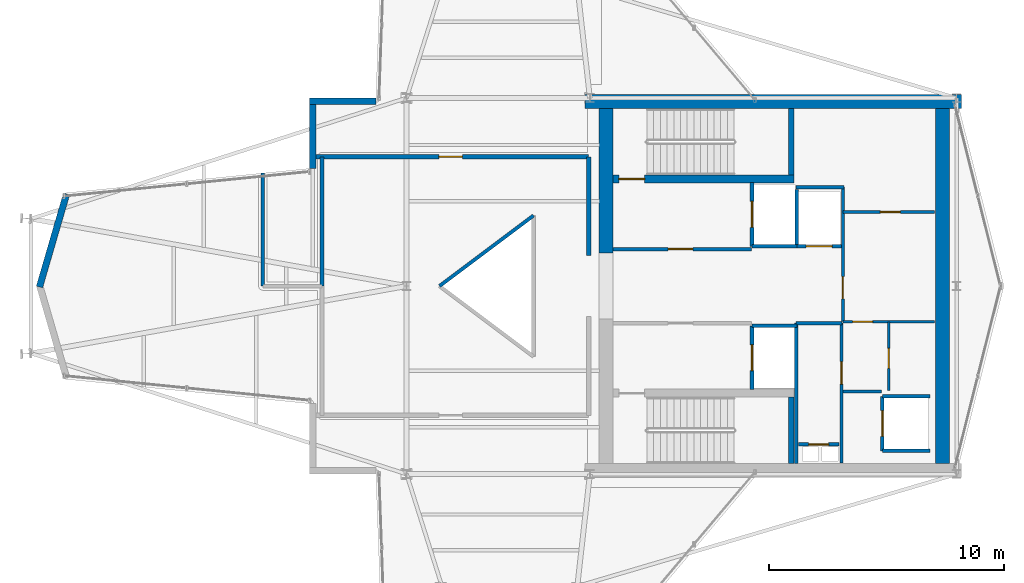
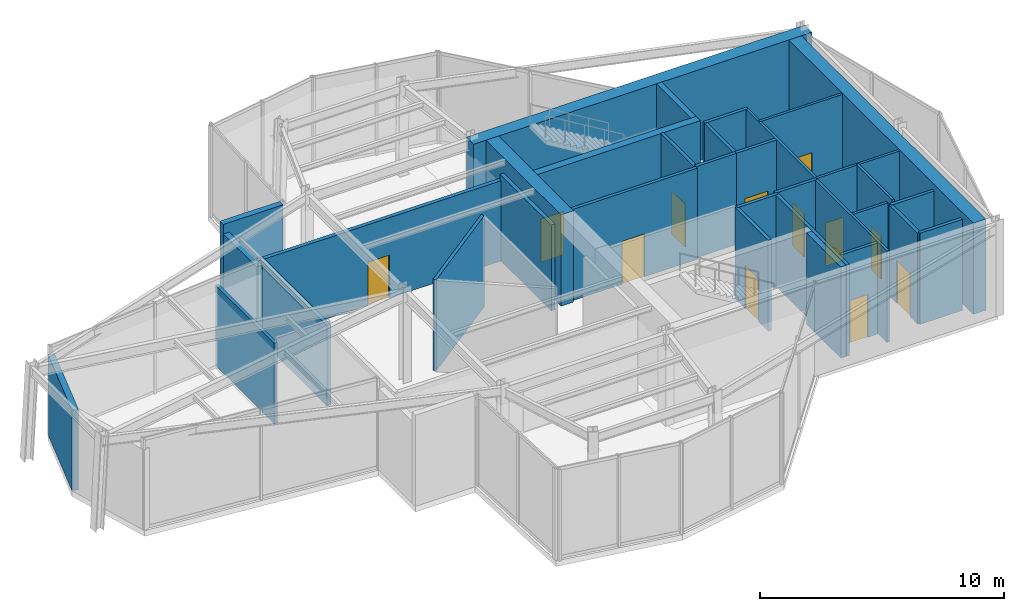
# One storey, part 10 of 15: 34 walls, 13 doors, 13 openings.
"""IFC4 building model written with IfcOpenShell, lengths in metres."""

import ifcopenshell
import ifcopenshell.guid

model = None  # the IFC model being written
_history = None  # IfcOwnerHistory: only IFC2X3 demands one
_inside = {}  # id of a spatial element -> (the spatial element, [elements in it])
_under = {}  # id of a project, library or spatial element -> (it, [spatial elements below it])
_declared = {}  # id of a project -> (the project, [libraries it declares])
_typed = {}  # id of a type object -> (the type object, [elements of that type])
_made_of = {}  # id of a material, layer set ... -> (it, [elements and type objects made of it])


def new_model(schema):
    """Start an empty IFC model of exactly this schema.

    Asked for "IFC4X3", IfcOpenShell would pick the latest addendum, in which some entities
    have other attributes; the version numbers below select the first issue.
    IFC2X3 requires an IfcOwnerHistory on every rooted entity: one is made here for all.
    """
    global model, _history
    if schema == "IFC4X3":
        model = ifcopenshell.file(schema_version=(4, 3, 0, 0))
    else:
        model = ifcopenshell.file(schema=schema)
    _inside.clear()
    _under.clear()
    _declared.clear()
    _typed.clear()
    _made_of.clear()
    _history = None
    if model.schema == "IFC2X3":
        org = make("IfcOrganization", Name="unknown")
        user = make(
            "IfcPersonAndOrganization",
            ThePerson=make("IfcPerson", FamilyName="unknown"),
            TheOrganization=org,
        )
        app = make(
            "IfcApplication",
            ApplicationDeveloper=org,
            Version="unknown",
            ApplicationFullName="unknown",
            ApplicationIdentifier="unknown",
        )
        _history = make(
            "IfcOwnerHistory",
            OwningUser=user,
            OwningApplication=app,
            ChangeAction="ADDED",
            CreationDate=0,
        )
    return model


def make(cls, **values):
    """One entity of the class cls with the attributes given. An attribute that is None is left unset."""
    return model.create_entity(
        cls, **{name: value for name, value in values.items() if value is not None}
    )


def rooted(cls, **values):
    """An entity with a GlobalId (a new one), such as an element, a storey or a relation."""
    return make(cls, GlobalId=ifcopenshell.guid.new(), OwnerHistory=_history, **values)


def si_unit(unit_type, name, prefix=None):
    """IfcSIUnit, for example si_unit("LENGTHUNIT", "METRE", prefix="MILLI")."""
    return make("IfcSIUnit", UnitType=unit_type, Prefix=prefix, Name=name)


def assignment(units):
    """IfcUnitAssignment: the units of a project."""
    return None if units is None else make("IfcUnitAssignment", Units=units)


def point(xyz):
    """IfcCartesianPoint."""
    return None if xyz is None else make("IfcCartesianPoint", Coordinates=xyz)


def direction(xyz):
    """IfcDirection."""
    return None if xyz is None else make("IfcDirection", DirectionRatios=xyz)


def frame(location, z_axis=None, x_axis=None):
    """IfcAxis2Placement3D, a coordinate frame: its origin and axes. An axis left out is left unset."""
    return make(
        "IfcAxis2Placement3D",
        Location=point(location),
        Axis=direction(z_axis),
        RefDirection=direction(x_axis),
    )


def frame_2d(location, x_axis=None):
    """IfcAxis2Placement2D, a coordinate frame in the plane: its origin and x axis."""
    return make(
        "IfcAxis2Placement2D", Location=point(location), RefDirection=direction(x_axis)
    )


def origin():
    """The frame at (0, 0, 0) with its axes left unset."""
    return frame((0.0, 0.0, 0.0))


def place(relative_to, where):
    """IfcLocalPlacement: puts the frame where relative to a parent placement (None: the world)."""
    return make(
        "IfcLocalPlacement", PlacementRelTo=relative_to, RelativePlacement=where
    )


def context(
    kind, dimensions, precision=None, world=None, true_north=None, identifier=None
):
    """IfcGeometricRepresentationContext, for example the 3D "Model" context."""
    return make(
        "IfcGeometricRepresentationContext",
        ContextIdentifier=identifier,
        ContextType=kind,
        CoordinateSpaceDimension=dimensions,
        Precision=precision,
        WorldCoordinateSystem=world,
        TrueNorth=true_north,
    )


def subcontext(parent, identifier, kind, view, scale=None):
    """IfcGeometricRepresentationSubContext, for example "Body" below "Model"."""
    return make(
        "IfcGeometricRepresentationSubContext",
        ContextIdentifier=identifier,
        ContextType=kind,
        ParentContext=parent,
        TargetScale=scale,
        TargetView=view,
    )


def project(units=None, contexts=None):
    """IfcProject with its units and contexts."""
    return rooted(
        "IfcProject",
        Name="project",
        RepresentationContexts=contexts,
        UnitsInContext=assignment(units),
    )


def spatial(cls, under=None, at=None, **own):
    """A site, building, storey or space (cls), placed at a placement, below another one or the project."""
    s = rooted(cls, ObjectPlacement=at, **own)
    if under is not None:
        _under.setdefault(under.id(), (under, []))[1].append(s)
    return s


def profile(cls, at=None, kind="AREA", **sizes):
    """A parametric profile (cls). Its sizes go by their IFC names, for example OverallWidth=200.0."""
    return make(cls, ProfileType=kind, Position=at, **sizes)


def rectangle(**sizes):
    """IfcRectangleProfileDef."""
    return profile("IfcRectangleProfileDef", **sizes)


def extrude(swept, where, along, depth):
    """IfcExtrudedAreaSolid: the profile swept, set in the frame where, extruded along a direction by depth."""
    return make(
        "IfcExtrudedAreaSolid",
        SweptArea=swept,
        Position=where,
        ExtrudedDirection=direction(along),
        Depth=depth,
    )


def shape(context_of_items, identifier, shape_type, items):
    """IfcShapeRepresentation: the items that make up one representation, for example the "Body"."""
    return make(
        "IfcShapeRepresentation",
        ContextOfItems=context_of_items,
        RepresentationIdentifier=identifier,
        RepresentationType=shape_type,
        Items=items,
    )


def material(Name=None, Category=None):
    """IfcMaterial."""
    return make("IfcMaterial", Name=Name, Category=Category)


def layer(
    of_material, thickness, ventilated=None, Name=None, Category=None, Priority=None
):
    """IfcMaterialLayer: one layer of a wall or slab, of a material (None: an air gap)."""
    return make(
        "IfcMaterialLayer",
        Material=of_material,
        LayerThickness=thickness,
        IsVentilated=ventilated,
        Name=Name,
        Category=Category,
        Priority=Priority,
    )


def layer_set(layers, Name=None):
    """IfcMaterialLayerSet."""
    return make("IfcMaterialLayerSet", MaterialLayers=layers, LayerSetName=Name)


def made_of(thing, what):
    """Note that an element or type object is made of a material, layer set ...; save() writes the relation."""
    if what is not None:
        _made_of.setdefault(what.id(), (what, []))[1].append(thing)
    return thing


def type_object(cls, material=None, **own):
    """A type object (cls), such as IfcWallType, which elements share."""
    return made_of(rooted(cls, **own), material)


def element(
    cls,
    number,
    at=None,
    inside=None,
    cuts=None,
    type_object=None,
    material=None,
    context=None,
    identifier="Body",
    shape_type=None,
    held_by="IfcProductDefinitionShape",
    body=None,
    shapes=None,
    **own,
):
    """One element of the class cls, such as IfcWall. Its Tag is "e" and its number.

    at: its placement. inside: the storey or other place that contains it. cuts: it is an
    opening in that element (IfcRelVoidsElement). A single representation is given by context,
    identifier, shape_type and body (its items); several are given by shapes. held_by: the class
    of the entity that holds the representations. save() writes the other relations.
    """
    e = rooted(cls, Tag="e%d" % number, ObjectPlacement=at, **own)
    if body is not None:
        shapes = [shape(context, identifier, shape_type, body)]
    if shapes is not None:
        e.Representation = make(held_by, Representations=shapes)
    if inside is not None:
        _inside.setdefault(inside.id(), (inside, []))[1].append(e)
    if cuts is not None:
        rooted(
            "IfcRelVoidsElement", RelatingBuildingElement=cuts, RelatedOpeningElement=e
        )
    if type_object is not None:
        _typed.setdefault(type_object.id(), (type_object, []))[1].append(e)
    return made_of(e, material)


def fill(opening, filler):
    """IfcRelFillsElement: the door or window that sits in an opening."""
    return rooted(
        "IfcRelFillsElement",
        RelatingOpeningElement=opening,
        RelatedBuildingElement=filler,
    )


def aggregate(whole, parts):
    """IfcRelAggregates: a whole, such as a stair, and the parts it consists of."""
    return rooted("IfcRelAggregates", RelatingObject=whole, RelatedObjects=parts)


def save(model, path):
    """Write the relations noted so far, then the file.

    IfcRelAggregates (storeys below a building ...), IfcRelContainedInSpatialStructure (elements
    in a storey), IfcRelDefinesByType, IfcRelAssociatesMaterial and IfcRelDeclares: one each for
    every whole, place, type object, material and project.
    """
    for whole, parts in _under.values():
        aggregate(whole, parts)
    for where, things in _inside.values():
        rooted(
            "IfcRelContainedInSpatialStructure",
            RelatedElements=things,
            RelatingStructure=where,
        )
    for kind, things in _typed.values():
        rooted("IfcRelDefinesByType", RelatedObjects=things, RelatingType=kind)
    for what, things in _made_of.values():
        rooted("IfcRelAssociatesMaterial", RelatedObjects=things, RelatingMaterial=what)
    for by, libraries in _declared.values():
        rooted("IfcRelDeclares", RelatingContext=by, RelatedDefinitions=libraries)
    model.write(path)


model = new_model("IFC4")

# Units and contexts
model_context = context("Model", 3, precision=1e-05, world=origin(), true_north=direction((0.0, 1.0)))
body_context = subcontext(model_context, "Body", "Model", "MODEL_VIEW")
ifc_project = project(units=[si_unit("LENGTHUNIT", "METRE"), si_unit("AREAUNIT", "SQUARE_METRE"), si_unit("VOLUMEUNIT", "CUBIC_METRE"), si_unit("PLANEANGLEUNIT", "RADIAN"), si_unit("MASSUNIT", "GRAM", prefix="KILO")], contexts=[model_context])

# Site, building, storey
site_placement = place(None, origin())
site = spatial("IfcSite", under=ifc_project, at=site_placement, CompositionType="ELEMENT")
building_placement = place(site_placement, origin())
building = spatial("IfcBuilding", under=site, at=building_placement, Name="Veymaron Broadcast Tower", CompositionType="ELEMENT")
storey_placement = place(building_placement, frame((0.0, 0.0, 262.050048828125)))
storey = spatial("IfcBuildingStorey", under=building, at=storey_placement, Name="L61", CompositionType="ELEMENT", Elevation=262.050048828125)

# Walls
ifc_material_1 = material(Name="Precast concrete C40/50", Category="concrete")
ifc_layer_1 = layer(ifc_material_1, 0.280029296875)
ifc_layer_set_1 = layer_set([ifc_layer_1], Name="Precast concrete C40/50")
wall_type_1 = type_object("IfcWallType", Name="WALL-EXT-280", PredefinedType="STANDARD", material=ifc_layer_set_1)
wall_1_placement = place(storey_placement, frame((29.892333984375, 31.860107421875, 0.0), z_axis=(0.0, 0.0, 1.0), x_axis=(-1.0, 0.0, 0.0)))
element("IfcWall", 1, at=wall_1_placement, inside=storey, type_object=wall_type_1, Name="L61 notched corner facade pier 9-1", PredefinedType="STANDARD", context=body_context, shape_type="SweptSolid", body=[
    extrude(rectangle(XDim=2.828369140625, YDim=0.280029296875, at=frame_2d((1.4140625, 0.0))), origin(), (0.0, 0.0, 1.0), 4.56005859375),
])
wall_2_placement = place(storey_placement, frame((27.2041015625, 32.0, 0.0), z_axis=(0.0, 0.0, 1.0), x_axis=(0.0, -1.0, 0.0)))
element("IfcWall", 2, at=wall_2_placement, inside=storey, type_object=wall_type_1, Name="L61 notched corner facade pier 10-1", PredefinedType="STANDARD", context=body_context, shape_type="SweptSolid", body=[
    extrude(rectangle(XDim=2.994873046875, YDim=0.280029296875, at=frame_2d((1.49755859375, 0.0))), origin(), (0.0, 0.0, 1.0), 4.0888671875),
])
wall_3_placement = place(storey_placement, frame((16.734375, 27.917236328125, 0.0), z_axis=(0.0, 0.0, 1.0), x_axis=(-0.2795381076, -0.960134598064, 0.0)))
element("IfcWall", 3, at=wall_3_placement, inside=storey, type_object=wall_type_1, Name="L61 notched corner facade pier 12-1", PredefinedType="STANDARD", context=body_context, shape_type="SweptSolid", body=[
    extrude(rectangle(XDim=4.12060546875, YDim=0.280029296875, at=frame_2d((2.060302734375, 0.0))), origin(), (0.0, 0.0, 1.0), 4.02001953125),
])

# Wall, opening, door
ifc_material_2 = material(Name="Gypsum fireboard and steel stud framing", Category="steel")
ifc_layer_2 = layer(ifc_material_2, 0.14990234375)
ifc_layer_set_2 = layer_set([ifc_layer_2], Name="Gypsum fireboard and steel stud framing")
wall_type_2 = type_object("IfcWallType", Name="WALL-FIRE-150", PredefinedType="PARTITIONING", material=ifc_layer_set_2)
wall_4_placement = place(storey_placement, frame((39.97998046875, 25.574951171875, 0.0), z_axis=(0.0, 0.0, 1.0), x_axis=(1.0, 0.0, 0.0)))
wall_4 = element("IfcWall", 4, at=wall_4_placement, inside=storey, type_object=wall_type_2, Name="L61 partition IW-L61-FFLN-S", PredefinedType="PARTITIONING", context=body_context, shape_type="SweptSolid", body=[
    extrude(rectangle(XDim=5.89990234375, YDim=0.14990234375, at=frame_2d((2.949951171875, 0.0))), origin(), (0.0, 0.0, 1.0), 4.56005859375),
])
opening_1_placement = place(wall_4_placement, frame((2.35009765625, 0.0, 0.0)))
opening_1 = element("IfcOpeningElement", 5, at=opening_1_placement, cuts=wall_4, Name="Opening ID-FL1", PredefinedType="OPENING", context=body_context, shape_type="SweptSolid", body=[
    extrude(rectangle(XDim=1.050048828125, YDim=2.14990234375, at=frame_2d((0.52490234375, 1.074951171875))), frame((0.0, 0.0849609375, 0.0), z_axis=(0.0, -1.0, 0.0), x_axis=(1.0, 0.0, 0.0)), (0.0, 0.0, 1.0), 0.169921875),
])
ifc_material_3 = material(Name="Fire-rated painted hollow steel ASTM A653", Category="steel")
door_type_1 = type_object("IfcDoorType", Name="DOOR-FIRE-1050", OperationType="NOTDEFINED", PredefinedType="DOOR", material=ifc_material_3)
door_1_placement = place(opening_1_placement, origin())
door_1 = element("IfcDoor", 6, at=door_1_placement, inside=storey, type_object=door_type_1, Name="L61 door DR-L61-FFLN", OperationType="SINGLE_SWING_LEFT", OverallHeight=2.14990234375, OverallWidth=1.050048828125, PredefinedType="DOOR", context=body_context, shape_type="SweptSolid", body=[
    extrude(rectangle(XDim=1.050048828125, YDim=2.14990234375, at=frame_2d((0.52490234375, 1.074951171875))), frame((0.0, 0.02490234375, 0.0), z_axis=(0.0, -1.0, 0.0), x_axis=(1.0, 0.0, 0.0)), (0.0, 0.0, 1.0), 0.050048828125),
])
fill(opening_1, door_1)

wall_5_placement = place(storey_placement, frame((45.89501953125, 25.68994140625, 0.0), z_axis=(0.0, 0.0, 1.0), x_axis=(0.0, 1.0, 0.0)))
wall_5 = element("IfcWall", 7, at=wall_5_placement, inside=storey, type_object=wall_type_2, Name="L61 partition IW-L61-SHW-FFL-1", PredefinedType="PARTITIONING", context=body_context, shape_type="SweptSolid", body=[
    extrude(rectangle(XDim=2.719970703125, YDim=0.14990234375, at=frame_2d((1.35986328125, 0.0))), origin(), (0.0, 0.0, 1.0), 4.56005859375),
])
opening_2_placement = place(wall_5_placement, frame((0.81005859375, 0.0, 0.0)))
opening_2 = element("IfcOpeningElement", 8, at=opening_2_placement, cuts=wall_5, Name="Opening LD", PredefinedType="OPENING", context=body_context, shape_type="SweptSolid", body=[
    extrude(rectangle(XDim=1.10009765625, YDim=2.14990234375, at=frame_2d((0.550048828125, 1.074951171875))), frame((0.0, 0.0849609375, 0.0), z_axis=(0.0, -1.0, 0.0), x_axis=(1.0, 0.0, 0.0)), (0.0, 0.0, 1.0), 0.169921875),
])
ifc_material_4 = material(Name="Brushed stainless steel AISI 304", Category="steel")
door_type_2 = type_object("IfcDoorType", Name="DOOR-LIFT-1100", OperationType="DOUBLE_DOOR_SLIDING", PredefinedType="DOOR", material=ifc_material_4)
door_2_placement = place(opening_2_placement, frame((1.10009765625, 0.0, 0.0), z_axis=(0.0, 0.0, 1.0), x_axis=(-1.0, 0.0, 0.0)))
door_2 = element("IfcDoor", 9, at=door_2_placement, inside=storey, type_object=door_type_2, Name="L61 door LD-L61-FFL-1", OperationType="DOUBLE_DOOR_SLIDING", OverallHeight=2.14990234375, OverallWidth=1.10009765625, PredefinedType="DOOR", context=body_context, shape_type="SweptSolid", body=[
    extrude(rectangle(XDim=1.10009765625, YDim=2.14990234375, at=frame_2d((0.550048828125, 1.074951171875))), frame((0.0, 0.02490234375, 0.0), z_axis=(0.0, -1.0, 0.0), x_axis=(1.0, 0.0, 0.0)), (0.0, 0.0, 1.0), 0.050048828125),
])
fill(opening_2, door_2)

# Wall
wall_6_placement = place(storey_placement, frame((45.89501953125, 25.68994140625, 0.0), z_axis=(0.0, 0.0, 1.0), x_axis=(1.0, 0.0, 0.0)))
element("IfcWall", 10, at=wall_6_placement, inside=storey, type_object=wall_type_2, Name="L61 partition IW-L61-SHS-FFL-1", PredefinedType="PARTITIONING", context=body_context, shape_type="SweptSolid", body=[
    extrude(rectangle(XDim=1.9150390625, YDim=0.14990234375, at=frame_2d((0.95751953125, 0.0))), origin(), (0.0, 0.0, 1.0), 4.56005859375),
])

# Wall, opening, door
wall_7_placement = place(storey_placement, frame((45.89501953125, 19.590087890625, 0.0), z_axis=(0.0, 0.0, 1.0), x_axis=(0.0, 1.0, 0.0)))
wall_7 = element("IfcWall", 11, at=wall_7_placement, inside=storey, type_object=wall_type_2, Name="L61 partition IW-L61-SHW-FFL-2", PredefinedType="PARTITIONING", context=body_context, shape_type="SweptSolid", body=[
    extrude(rectangle(XDim=2.719970703125, YDim=0.14990234375, at=frame_2d((1.35986328125, 0.0))), origin(), (0.0, 0.0, 1.0), 4.56005859375),
])
opening_3_placement = place(wall_7_placement, frame((0.81005859375, 0.0, 0.0)))
opening_3 = element("IfcOpeningElement", 12, at=opening_3_placement, cuts=wall_7, Name="Opening LD", PredefinedType="OPENING", context=body_context, shape_type="SweptSolid", body=[
    extrude(rectangle(XDim=1.10009765625, YDim=2.14990234375, at=frame_2d((0.550048828125, 1.074951171875))), frame((0.0, 0.0849609375, 0.0), z_axis=(0.0, -1.0, 0.0), x_axis=(1.0, 0.0, 0.0)), (0.0, 0.0, 1.0), 0.169921875),
])
door_3_placement = place(opening_3_placement, frame((1.10009765625, 0.0, 0.0), z_axis=(0.0, 0.0, 1.0), x_axis=(-1.0, 0.0, 0.0)))
door_3 = element("IfcDoor", 13, at=door_3_placement, inside=storey, type_object=door_type_2, Name="L61 door LD-L61-FFL-2", OperationType="DOUBLE_DOOR_SLIDING", OverallHeight=2.14990234375, OverallWidth=1.10009765625, PredefinedType="DOOR", context=body_context, shape_type="SweptSolid", body=[
    extrude(rectangle(XDim=1.10009765625, YDim=2.14990234375, at=frame_2d((0.550048828125, 1.074951171875))), frame((0.0, 0.02490234375, 0.0), z_axis=(0.0, -1.0, 0.0), x_axis=(1.0, 0.0, 0.0)), (0.0, 0.0, 1.0), 0.050048828125),
])
fill(opening_3, door_3)

# Wall
wall_8_placement = place(storey_placement, frame((45.89501953125, 22.31005859375, 0.0), z_axis=(0.0, 0.0, 1.0), x_axis=(1.0, 0.0, 0.0)))
element("IfcWall", 14, at=wall_8_placement, inside=storey, type_object=wall_type_2, Name="L61 partition IW-L61-SHN-FFL-2", PredefinedType="PARTITIONING", context=body_context, shape_type="SweptSolid", body=[
    extrude(rectangle(XDim=1.9150390625, YDim=0.14990234375, at=frame_2d((0.95751953125, 0.0))), origin(), (0.0, 0.0, 1.0), 4.56005859375),
])

# Wall, opening, door
wall_9_placement = place(storey_placement, frame((47.7900390625, 25.695068359375, 0.0), z_axis=(0.0, 0.0, 1.0), x_axis=(1.0, 0.0, 0.0)))
wall_9 = element("IfcWall", 15, at=wall_9_placement, inside=storey, type_object=wall_type_2, Name="L61 partition IW-L61-SHS-SL-1", PredefinedType="PARTITIONING", context=body_context, shape_type="SweptSolid", body=[
    extrude(rectangle(XDim=1.919921875, YDim=0.14990234375, at=frame_2d((0.9599609375, 0.0))), origin(), (0.0, 0.0, 1.0), 4.56005859375),
])
opening_4_placement = place(wall_9_placement, frame((0.409912109375, 0.0, 0.0)))
opening_4 = element("IfcOpeningElement", 16, at=opening_4_placement, cuts=wall_9, Name="Opening LD", PredefinedType="OPENING", context=body_context, shape_type="SweptSolid", body=[
    extrude(rectangle(XDim=1.10009765625, YDim=2.14990234375, at=frame_2d((0.550048828125, 1.074951171875))), frame((0.0, 0.0849609375, 0.0), z_axis=(0.0, -1.0, 0.0), x_axis=(1.0, 0.0, 0.0)), (0.0, 0.0, 1.0), 0.169921875),
])
door_4_placement = place(opening_4_placement, frame((1.10009765625, 0.0, 0.0), z_axis=(0.0, 0.0, 1.0), x_axis=(-1.0, 0.0, 0.0)))
door_4 = element("IfcDoor", 17, at=door_4_placement, inside=storey, type_object=door_type_2, Name="L61 door LD-L61-SL-1", OperationType="DOUBLE_DOOR_SLIDING", OverallHeight=2.14990234375, OverallWidth=1.10009765625, PredefinedType="DOOR", context=body_context, shape_type="SweptSolid", body=[
    extrude(rectangle(XDim=1.10009765625, YDim=2.14990234375, at=frame_2d((0.550048828125, 1.074951171875))), frame((0.0, 0.02490234375, 0.0), z_axis=(0.0, -1.0, 0.0), x_axis=(1.0, 0.0, 0.0)), (0.0, 0.0, 1.0), 0.050048828125),
])
fill(opening_4, door_4)

# Wall
wall_10_placement = place(storey_placement, frame((47.7900390625, 25.695068359375, 0.0), z_axis=(0.0, 0.0, 1.0), x_axis=(0.0, 1.0, 0.0)))
element("IfcWall", 18, at=wall_10_placement, inside=storey, type_object=wall_type_2, Name="L61 partition IW-L61-SHW-SL-1", PredefinedType="PARTITIONING", context=body_context, shape_type="SweptSolid", body=[
    extrude(rectangle(XDim=2.4150390625, YDim=0.14990234375, at=frame_2d((1.20751953125, 0.0))), origin(), (0.0, 0.0, 1.0), 4.56005859375),
])

# Wall, opening, door
wall_11_placement = place(storey_placement, frame((51.445068359375, 16.989990234375, 0.0), z_axis=(0.0, 0.0, 1.0), x_axis=(0.0, 1.0, 0.0)))
wall_11 = element("IfcWall", 19, at=wall_11_placement, inside=storey, type_object=wall_type_2, Name="L61 partition IW-L61-SHW-PH1", PredefinedType="PARTITIONING", context=body_context, shape_type="SweptSolid", body=[
    extrude(rectangle(XDim=2.320068359375, YDim=0.14990234375, at=frame_2d((1.16015625, 0.0))), origin(), (0.0, 0.0, 1.0), 4.56005859375),
])
opening_5_placement = place(wall_11_placement, frame((0.610107421875, 0.0, 0.0)))
opening_5 = element("IfcOpeningElement", 20, at=opening_5_placement, cuts=wall_11, Name="Opening LD", PredefinedType="OPENING", context=body_context, shape_type="SweptSolid", body=[
    extrude(rectangle(XDim=1.10009765625, YDim=2.14990234375, at=frame_2d((0.550048828125, 1.074951171875))), frame((0.0, 0.0849609375, 0.0), z_axis=(0.0, -1.0, 0.0), x_axis=(1.0, 0.0, 0.0)), (0.0, 0.0, 1.0), 0.169921875),
])
door_5_placement = place(opening_5_placement, frame((1.10009765625, 0.0, 0.0), z_axis=(0.0, 0.0, 1.0), x_axis=(-1.0, 0.0, 0.0)))
door_5 = element("IfcDoor", 21, at=door_5_placement, inside=storey, type_object=door_type_2, Name="L61 door LD-L61-PH1", OperationType="DOUBLE_DOOR_SLIDING", OverallHeight=2.14990234375, OverallWidth=1.10009765625, PredefinedType="DOOR", context=body_context, shape_type="SweptSolid", body=[
    extrude(rectangle(XDim=1.10009765625, YDim=2.14990234375, at=frame_2d((0.550048828125, 1.074951171875))), frame((0.0, 0.02490234375, 0.0), z_axis=(0.0, -1.0, 0.0), x_axis=(1.0, 0.0, 0.0)), (0.0, 0.0, 1.0), 0.050048828125),
])
fill(opening_5, door_5)

# Walls
for number, where, z_axis, x_axis, name in (
    (22, (51.445068359375, 16.989990234375, 0.0), (0.0, 0.0, 1.0), (1.0, 0.0, 0.0), "L61 partition IW-L61-SHS-PH1"),
    (23, (51.445068359375, 19.31005859375, 0.0), (0.0, 0.0, 1.0), (1.0, 0.0, 0.0), "L61 partition IW-L61-SHN-PH1"),
):
    element("IfcWall", number, at=place(storey_placement, frame(where, z_axis=z_axis, x_axis=x_axis)), inside=storey, type_object=wall_type_2, Name=name, PredefinedType="PARTITIONING", context=body_context, shape_type="SweptSolid", body=[
        extrude(rectangle(XDim=2.014892578125, YDim=0.14990234375, at=frame_2d((1.00732421875, 0.0))), origin(), (0.0, 0.0, 1.0), 4.56005859375),
    ])

# Wall, opening, door
wall_12_placement = place(storey_placement, frame((47.8798828125, 17.260009765625, 0.0), z_axis=(0.0, 0.0, 1.0), x_axis=(1.0, 0.0, 0.0)))
wall_12 = element("IfcWall", 24, at=wall_12_placement, inside=storey, type_object=wall_type_2, Name="L61 partition IW-L61-RIS-N", PredefinedType="PARTITIONING", context=body_context, shape_type="SweptSolid", body=[
    extrude(rectangle(XDim=1.72021484375, YDim=0.14990234375, at=frame_2d((0.860107421875, 0.0))), origin(), (0.0, 0.0, 1.0), 4.56005859375),
])
opening_6_placement = place(wall_12_placement, frame((0.419921875, 0.0, 0.0)))
opening_6 = element("IfcOpeningElement", 25, at=opening_6_placement, cuts=wall_12, Name="Opening ID-RS1", PredefinedType="OPENING", context=body_context, shape_type="SweptSolid", body=[
    extrude(rectangle(XDim=0.85009765625, YDim=2.14990234375, at=frame_2d((0.425048828125, 1.074951171875))), frame((0.0, 0.0849609375, 0.0), z_axis=(0.0, -1.0, 0.0), x_axis=(1.0, 0.0, 0.0)), (0.0, 0.0, 1.0), 0.169921875),
])
ifc_material_5 = material(Name="Fire-rated powder-coated steel riser leaf", Category="steel")
door_type_3 = type_object("IfcDoorType", Name="DOOR-RIS-850", OperationType="NOTDEFINED", PredefinedType="TRAPDOOR", material=ifc_material_5)
door_6_placement = place(opening_6_placement, origin())
door_6 = element("IfcDoor", 26, at=door_6_placement, inside=storey, type_object=door_type_3, Name="L61 door DR-L61-RIS", OperationType="SINGLE_SWING_LEFT", OverallHeight=2.14990234375, OverallWidth=0.85009765625, PredefinedType="TRAPDOOR", context=body_context, shape_type="SweptSolid", body=[
    extrude(rectangle(XDim=0.85009765625, YDim=2.14990234375, at=frame_2d((0.425048828125, 1.074951171875))), frame((0.0, 0.02490234375, 0.0), z_axis=(0.0, -1.0, 0.0), x_axis=(1.0, 0.0, 0.0)), (0.0, 0.0, 1.0), 0.050048828125),
])
fill(opening_6, door_6)

# Walls
wall_13_placement = place(storey_placement, frame((47.760009765625, 22.425048828125, 0.0), z_axis=(0.0, 0.0, 1.0), x_axis=(1.0, 0.0, 0.0)))
element("IfcWall", 27, at=wall_13_placement, inside=storey, type_object=wall_type_2, Name="L61 partition IW-L61-SM-N", PredefinedType="PARTITIONING", context=body_context, shape_type="SweptSolid", body=[
    extrude(rectangle(XDim=1.9599609375, YDim=0.14990234375, at=frame_2d((0.97998046875, 0.0))), origin(), (0.0, 0.0, 1.0), 4.56005859375),
])
wall_14_placement = place(storey_placement, frame((47.780029296875, 16.449951171875, 0.0), z_axis=(0.0, 0.0, 1.0), x_axis=(0.0, 1.0, 0.0)))
element("IfcWall", 28, at=wall_14_placement, inside=storey, type_object=wall_type_2, Name="L61 partition IW-L61-SM-W", PredefinedType="PARTITIONING", context=body_context, shape_type="SweptSolid", body=[
    extrude(rectangle(XDim=5.97509765625, YDim=0.14990234375, at=frame_2d((2.987548828125, 0.0))), origin(), (0.0, 0.0, 1.0), 4.56005859375),
])
wall_15_placement = place(storey_placement, frame((47.760009765625, 28.199951171875, 0.0), z_axis=(0.0, 0.0, 1.0), x_axis=(1.0, 0.0, 0.0)))
element("IfcWall", 29, at=wall_15_placement, inside=storey, type_object=wall_type_2, Name="L61 partition IW-L61-F3-SW", PredefinedType="PARTITIONING", context=body_context, shape_type="SweptSolid", body=[
    extrude(rectangle(XDim=2.0400390625, YDim=0.14990234375, at=frame_2d((1.02001953125, 0.0))), origin(), (0.0, 0.0, 1.0), 4.56005859375),
])

# Wall, opening, door
ifc_material_6 = material(Name="Concrete C40/50", Category="concrete")
ifc_layer_3 = layer(ifc_material_6, 0.179931640625)
ifc_layer_set_3 = layer_set([ifc_layer_3], Name="Concrete C40/50")
wall_type_3 = type_object("IfcWallType", Name="WALL-FIRE-180", PredefinedType="SOLIDWALL", material=ifc_layer_set_3)
wall_16_placement = place(storey_placement, frame((27.2041015625, 29.5, 0.0), z_axis=(0.0, 0.0, 1.0), x_axis=(1.0, 0.0, 0.0)))
wall_16 = element("IfcWall", 30, at=wall_16_placement, inside=storey, type_object=wall_type_3, Name="L61 partition IW-L61-P04", PredefinedType="SOLIDWALL", context=body_context, shape_type="SweptSolid", body=[
    extrude(rectangle(XDim=11.745849609375, YDim=0.179931640625, at=frame_2d((5.873046875, 0.0))), origin(), (0.0, 0.0, 1.0), 4.02001953125),
])
opening_7_placement = place(wall_16_placement, frame((5.373046875, 0.0, 0.0)))
opening_7 = element("IfcOpeningElement", 31, at=opening_7_placement, cuts=wall_16, Name="Opening ID-RM3", PredefinedType="OPENING", context=body_context, shape_type="SweptSolid", body=[
    extrude(rectangle(XDim=1.0, YDim=2.14990234375, at=frame_2d((0.5, 1.074951171875))), frame((0.0, 0.10009765625, 0.0), z_axis=(0.0, -1.0, 0.0), x_axis=(1.0, 0.0, 0.0)), (0.0, 0.0, 1.0), 0.199951171875),
])
ifc_material_7 = material(Name="Acoustic solid-core European oak veneer timber", Category="wood")
door_type_4 = type_object("IfcDoorType", Name="DOOR-INT-1000", OperationType="NOTDEFINED", PredefinedType="DOOR", material=ifc_material_7)
door_7_placement = place(opening_7_placement, origin())
door_7 = element("IfcDoor", 32, at=door_7_placement, inside=storey, type_object=door_type_4, Name="L61 door DR-L61-P04", OperationType="SINGLE_SWING_LEFT", OverallHeight=2.14990234375, OverallWidth=1.0, PredefinedType="DOOR", context=body_context, shape_type="SweptSolid", body=[
    extrude(rectangle(XDim=1.0, YDim=2.14990234375, at=frame_2d((0.5, 1.074951171875))), frame((0.0, 0.02490234375, 0.0), z_axis=(0.0, -1.0, 0.0), x_axis=(1.0, 0.0, 0.0)), (0.0, 0.0, 1.0), 0.050048828125),
])
fill(opening_7, door_7)

# Walls
wall_17_placement = place(storey_placement, frame((27.60009765625, 24.0, 0.0), z_axis=(0.0, 0.0, 1.0), x_axis=(0.0, 1.0, 0.0)))
element("IfcWall", 33, at=wall_17_placement, inside=storey, type_object=wall_type_3, Name="L61 partition IW-L61-P05", PredefinedType="SOLIDWALL", context=body_context, shape_type="SweptSolid", body=[
    extrude(rectangle(XDim=5.5, YDim=0.179931640625, at=frame_2d((2.75, 0.0))), origin(), (0.0, 0.0, 1.0), 4.02001953125),
])
wall_18_placement = place(storey_placement, frame((38.949951171875, 25.300048828125, 0.0), z_axis=(0.0, 0.0, 1.0), x_axis=(0.0, 1.0, 0.0)))
element("IfcWall", 34, at=wall_18_placement, inside=storey, type_object=wall_type_3, Name="L61 partition IW-L61-P06", PredefinedType="SOLIDWALL", context=body_context, shape_type="SweptSolid", body=[
    extrude(rectangle(XDim=4.199951171875, YDim=0.179931640625, at=frame_2d((2.10009765625, 0.0))), origin(), (0.0, 0.0, 1.0), 4.2900390625),
])
ifc_material_8 = material(Name="Fire-rated laminated glass in aluminium frame", Category="aluminium")
ifc_layer_4 = layer(ifc_material_8, 0.14990234375)
ifc_layer_set_4 = layer_set([ifc_layer_4], Name="Fire-rated laminated glass in aluminium frame")
wall_type_4 = type_object("IfcWallType", Name="WALL-GLZ-150", PredefinedType="MOVABLE", material=ifc_layer_set_4)
wall_19_placement = place(storey_placement, frame((25.083984375, 24.0, 0.0), z_axis=(0.0, 0.0, 1.0), x_axis=(0.0, 1.0, 0.0)))
element("IfcWall", 35, at=wall_19_placement, inside=storey, type_object=wall_type_4, Name="L61 partition IW-L61-P07", PredefinedType="MOVABLE", context=body_context, shape_type="SweptSolid", body=[
    extrude(rectangle(XDim=4.806640625, YDim=0.14990234375, at=frame_2d((2.4033203125, 0.0))), origin(), (0.0, 0.0, 1.0), 4.02001953125),
])
wall_20_placement = place(storey_placement, frame((36.60009765625, 27.0, 0.0), z_axis=(0.0, 0.0, 1.0), x_axis=(-0.8, -0.6, 0.0)))
element("IfcWall", 36, at=wall_20_placement, inside=storey, type_object=wall_type_4, Name="L61 partition IW-L61-ATR3", PredefinedType="MOVABLE", context=body_context, shape_type="SweptSolid", body=[
    extrude(rectangle(XDim=5.0, YDim=0.14990234375, at=frame_2d((2.5, 0.0))), origin(), (0.0, 0.0, 1.0), 4.56005859375),
])

# Wall, opening, door
ifc_material_9 = material(Name="Acoustic gypsum board and galvanized stud", Category="gypsum")
ifc_layer_5 = layer(ifc_material_9, 0.1201171875)
ifc_layer_set_5 = layer_set([ifc_layer_5], Name="Acoustic gypsum board and galvanized stud")
wall_type_5 = type_object("IfcWallType", Name="WALL-PART-120", PredefinedType="PARTITIONING", material=ifc_layer_set_5)
wall_21_placement = place(storey_placement, frame((49.699951171875, 16.47998046875, 0.0), z_axis=(0.0, 0.0, 1.0), x_axis=(0.0, 1.0, 0.0)))
wall_21 = element("IfcWall", 37, at=wall_21_placement, inside=storey, type_object=wall_type_5, Name="L61 partition IW-L61-SM-E", PredefinedType="PARTITIONING", context=body_context, shape_type="SweptSolid", body=[
    extrude(rectangle(XDim=5.945068359375, YDim=0.1201171875, at=frame_2d((2.97265625, 0.0))), origin(), (0.0, 0.0, 1.0), 4.56005859375),
])
opening_8_placement = place(wall_21_placement, frame((3.35009765625, 0.0, 0.0)))
opening_8 = element("IfcOpeningElement", 38, at=opening_8_placement, cuts=wall_21, Name="Opening ID-RM1", PredefinedType="OPENING", context=body_context, shape_type="SweptSolid", body=[
    extrude(rectangle(XDim=0.949951171875, YDim=2.14990234375, at=frame_2d((0.47509765625, 1.074951171875))), frame((0.0, 0.070068359375, 0.0), z_axis=(0.0, -1.0, 0.0), x_axis=(1.0, 0.0, 0.0)), (0.0, 0.0, 1.0), 0.14013671875),
])
door_type_5 = type_object("IfcDoorType", Name="DOOR-INT-950", OperationType="NOTDEFINED", PredefinedType="DOOR", material=ifc_material_7)
door_8_placement = place(opening_8_placement, frame((0.949951171875, 0.0, 0.0), z_axis=(0.0, 0.0, 1.0), x_axis=(-1.0, 0.0, 0.0)))
door_8 = element("IfcDoor", 39, at=door_8_placement, inside=storey, type_object=door_type_5, Name="L61 door DR-L61-AWC", OperationType="SINGLE_SWING_LEFT", OverallHeight=2.14990234375, OverallWidth=0.949951171875, PredefinedType="DOOR", context=body_context, shape_type="SweptSolid", body=[
    extrude(rectangle(XDim=0.949951171875, YDim=2.14990234375, at=frame_2d((0.47509765625, 1.074951171875))), frame((0.0, 0.02490234375, 0.0), z_axis=(0.0, -1.0, 0.0), x_axis=(1.0, 0.0, 0.0)), (0.0, 0.0, 1.0), 0.050048828125),
])
fill(opening_8, door_8)

wall_22_placement = place(storey_placement, frame((49.760009765625, 22.47998046875, 0.0), z_axis=(0.0, 0.0, 1.0), x_axis=(1.0, 0.0, 0.0)))
wall_22 = element("IfcWall", 40, at=wall_22_placement, inside=storey, type_object=wall_type_5, Name="L61 partition IW-L61-F3S-N", PredefinedType="PARTITIONING", context=body_context, shape_type="SweptSolid", body=[
    extrude(rectangle(XDim=3.89990234375, YDim=0.1201171875, at=frame_2d((1.949951171875, 0.0))), origin(), (0.0, 0.0, 1.0), 4.56005859375),
])
opening_9_placement = place(wall_22_placement, frame((0.419921875, 0.0, 0.0)))
opening_9 = element("IfcOpeningElement", 41, at=opening_9_placement, cuts=wall_22, Name="Opening ID-WC1", PredefinedType="OPENING", context=body_context, shape_type="SweptSolid", body=[
    extrude(rectangle(XDim=0.85009765625, YDim=2.14990234375, at=frame_2d((0.425048828125, 1.074951171875))), frame((0.0, 0.070068359375, 0.0), z_axis=(0.0, -1.0, 0.0), x_axis=(1.0, 0.0, 0.0)), (0.0, 0.0, 1.0), 0.14013671875),
])
ifc_material_10 = material(Name="Moisture-resistant high-pressure laminate timber", Category="wood")
door_type_6 = type_object("IfcDoorType", Name="DOOR-INT-850", OperationType="NOTDEFINED", PredefinedType="DOOR", material=ifc_material_10)
door_9_placement = place(opening_9_placement, frame((0.85009765625, 0.0, 0.0), z_axis=(0.0, 0.0, 1.0), x_axis=(-1.0, 0.0, 0.0)))
door_9 = element("IfcDoor", 42, at=door_9_placement, inside=storey, type_object=door_type_6, Name="L61 door DR-L61-F3S", OperationType="SINGLE_SWING_LEFT", OverallHeight=2.14990234375, OverallWidth=0.85009765625, PredefinedType="DOOR", context=body_context, shape_type="SweptSolid", body=[
    extrude(rectangle(XDim=0.85009765625, YDim=2.14990234375, at=frame_2d((0.425048828125, 1.074951171875))), frame((0.0, 0.02490234375, 0.0), z_axis=(0.0, -1.0, 0.0), x_axis=(1.0, 0.0, 0.0)), (0.0, 0.0, 1.0), 0.050048828125),
])
fill(opening_9, door_9)

wall_23_placement = place(storey_placement, frame((51.7099609375, 19.550048828125, 0.0), z_axis=(0.0, 0.0, 1.0), x_axis=(0.0, 1.0, 0.0)))
wall_23 = element("IfcWall", 43, at=wall_23_placement, inside=storey, type_object=wall_type_5, Name="L61 partition IW-L61-F3S-M", PredefinedType="PARTITIONING", context=body_context, shape_type="SweptSolid", body=[
    extrude(rectangle(XDim=2.929931640625, YDim=0.1201171875, at=frame_2d((1.46484375, 0.0))), origin(), (0.0, 0.0, 1.0), 4.56005859375),
])
opening_10_placement = place(wall_23_placement, frame((0.949951171875, 0.0, 0.0)))
opening_10 = element("IfcOpeningElement", 44, at=opening_10_placement, cuts=wall_23, Name="Opening ID-WC1", PredefinedType="OPENING", context=body_context, shape_type="SweptSolid", body=[
    extrude(rectangle(XDim=0.85009765625, YDim=2.14990234375, at=frame_2d((0.425048828125, 1.074951171875))), frame((0.0, 0.070068359375, 0.0), z_axis=(0.0, -1.0, 0.0), x_axis=(1.0, 0.0, 0.0)), (0.0, 0.0, 1.0), 0.14013671875),
])
door_10_placement = place(opening_10_placement, origin())
door_10 = element("IfcDoor", 45, at=door_10_placement, inside=storey, type_object=door_type_6, Name="L61 door DR-L61-F3SB", OperationType="SINGLE_SWING_RIGHT", OverallHeight=2.14990234375, OverallWidth=0.85009765625, PredefinedType="DOOR", context=body_context, shape_type="SweptSolid", body=[
    extrude(rectangle(XDim=0.85009765625, YDim=2.14990234375, at=frame_2d((0.425048828125, 1.074951171875))), frame((0.0, 0.02490234375, 0.0), z_axis=(0.0, -1.0, 0.0), x_axis=(1.0, 0.0, 0.0)), (0.0, 0.0, 1.0), 0.050048828125),
])
fill(opening_10, door_10)

# Wall
wall_24_placement = place(storey_placement, frame((49.760009765625, 19.52001953125, 0.0), z_axis=(0.0, 0.0, 1.0), x_axis=(1.0, 0.0, 0.0)))
element("IfcWall", 46, at=wall_24_placement, inside=storey, type_object=wall_type_5, Name="L61 partition IW-L61-F3S-S", PredefinedType="PARTITIONING", context=body_context, shape_type="SweptSolid", body=[
    extrude(rectangle(XDim=1.639892578125, YDim=0.1201171875, at=frame_2d((0.81982421875, 0.0))), origin(), (0.0, 0.0, 1.0), 4.56005859375),
])

# Wall, opening, door
wall_25_placement = place(storey_placement, frame((49.760009765625, 22.5, 0.0), z_axis=(0.0, 0.0, 1.0), x_axis=(0.0, 1.0, 0.0)))
wall_25 = element("IfcWall", 47, at=wall_25_placement, inside=storey, type_object=wall_type_5, Name="L61 partition IW-L61-F3-W", PredefinedType="PARTITIONING", context=body_context, shape_type="SweptSolid", body=[
    extrude(rectangle(XDim=5.719970703125, YDim=0.1201171875, at=frame_2d((2.85986328125, 0.0))), origin(), (0.0, 0.0, 1.0), 4.56005859375),
])
opening_11_placement = place(wall_25_placement, frame((0.949951171875, 0.0, 0.0)))
opening_11 = element("IfcOpeningElement", 48, at=opening_11_placement, cuts=wall_25, Name="Opening ID-RM1", PredefinedType="OPENING", context=body_context, shape_type="SweptSolid", body=[
    extrude(rectangle(XDim=0.949951171875, YDim=2.14990234375, at=frame_2d((0.47509765625, 1.074951171875))), frame((0.0, 0.070068359375, 0.0), z_axis=(0.0, -1.0, 0.0), x_axis=(1.0, 0.0, 0.0)), (0.0, 0.0, 1.0), 0.14013671875),
])
door_11_placement = place(opening_11_placement, origin())
door_11 = element("IfcDoor", 49, at=door_11_placement, inside=storey, type_object=door_type_5, Name="L61 door DR-L61-F3A", OperationType="SINGLE_SWING_LEFT", OverallHeight=2.14990234375, OverallWidth=0.949951171875, PredefinedType="DOOR", context=body_context, shape_type="SweptSolid", body=[
    extrude(rectangle(XDim=0.949951171875, YDim=2.14990234375, at=frame_2d((0.47509765625, 1.074951171875))), frame((0.0, 0.02490234375, 0.0), z_axis=(0.0, -1.0, 0.0), x_axis=(1.0, 0.0, 0.0)), (0.0, 0.0, 1.0), 0.050048828125),
])
fill(opening_11, door_11)

wall_26_placement = place(storey_placement, frame((49.760009765625, 27.14990234375, 0.0), z_axis=(0.0, 0.0, 1.0), x_axis=(1.0, 0.0, 0.0)))
wall_26 = element("IfcWall", 50, at=wall_26_placement, inside=storey, type_object=wall_type_5, Name="L61 partition IW-L61-F3-M1", PredefinedType="PARTITIONING", context=body_context, shape_type="SweptSolid", body=[
    extrude(rectangle(XDim=3.89990234375, YDim=0.1201171875, at=frame_2d((1.949951171875, 0.0))), origin(), (0.0, 0.0, 1.0), 4.56005859375),
])
opening_12_placement = place(wall_26_placement, frame((1.60009765625, 0.0, 0.0)))
opening_12 = element("IfcOpeningElement", 51, at=opening_12_placement, cuts=wall_26, Name="Opening ID-WC1", PredefinedType="OPENING", context=body_context, shape_type="SweptSolid", body=[
    extrude(rectangle(XDim=0.85009765625, YDim=2.14990234375, at=frame_2d((0.425048828125, 1.074951171875))), frame((0.0, 0.070068359375, 0.0), z_axis=(0.0, -1.0, 0.0), x_axis=(1.0, 0.0, 0.0)), (0.0, 0.0, 1.0), 0.14013671875),
])
door_12_placement = place(opening_12_placement, origin())
door_12 = element("IfcDoor", 52, at=door_12_placement, inside=storey, type_object=door_type_6, Name="L61 door DR-L61-F3B", OperationType="SINGLE_SWING_LEFT", OverallHeight=2.14990234375, OverallWidth=0.85009765625, PredefinedType="DOOR", context=body_context, shape_type="SweptSolid", body=[
    extrude(rectangle(XDim=0.85009765625, YDim=2.14990234375, at=frame_2d((0.425048828125, 1.074951171875))), frame((0.0, 0.02490234375, 0.0), z_axis=(0.0, -1.0, 0.0), x_axis=(1.0, 0.0, 0.0)), (0.0, 0.0, 1.0), 0.050048828125),
])
fill(opening_12, door_12)

# Walls
ifc_material_11 = material(Name="Concrete C50/60", Category="concrete")
ifc_layer_6 = layer(ifc_material_11, 0.25)
ifc_layer_set_6 = layer_set([ifc_layer_6], Name="Concrete C50/60")
wall_type_6 = type_object("IfcWallType", Name="WALL-SHEAR-250", PredefinedType="SHEAR", material=ifc_layer_set_6)
for number, where, z_axis, x_axis, name in (
    (53, (47.56494140625, 28.72998046875, 0.0), (0.0, 0.0, 1.0), (0.0, 1.0, 0.0), "L61 Core Wall north stair east shear"),
    (54, (47.56494140625, 16.449951171875, 0.0), (0.0, 0.0, 1.0), (0.0, 1.0, 0.0), "L61 Core Wall south stair east shear"),
):
    element("IfcWall", number, at=place(storey_placement, frame(where, z_axis=z_axis, x_axis=x_axis)), inside=storey, type_object=wall_type_6, Name=name, PredefinedType="SHEAR", context=body_context, shape_type="SweptSolid", body=[
        extrude(rectangle(XDim=2.820068359375, YDim=0.25, at=frame_2d((1.41015625, 0.0))), origin(), (0.0, 0.0, 1.0), 4.56005859375),
    ])

# Wall, opening, door
ifc_layer_7 = layer(ifc_material_11, 0.35009765625)
ifc_layer_set_7 = layer_set([ifc_layer_7], Name="Concrete C50/60")
wall_type_7 = type_object("IfcWallType", Name="WALL-SHEAR-350", PredefinedType="SHEAR", material=ifc_layer_set_7)
wall_27_placement = place(storey_placement, frame((39.97998046875, 28.554931640625, 0.0), z_axis=(0.0, 0.0, 1.0), x_axis=(1.0, 0.0, 0.0)))
wall_27 = element("IfcWall", 55, at=wall_27_placement, inside=storey, type_object=wall_type_7, Name="L61 Core Wall north stair spine", PredefinedType="SHEAR", context=body_context, shape_type="SweptSolid", body=[
    extrude(rectangle(XDim=7.7099609375, YDim=0.35009765625, at=frame_2d((3.85498046875, 0.0))), origin(), (0.0, 0.0, 1.0), 4.56005859375),
])
opening_13_placement = place(wall_27_placement, frame((0.25, 0.0, 0.0)))
opening_13 = element("IfcOpeningElement", 56, at=opening_13_placement, cuts=wall_27, Name="Opening ID-ST1", PredefinedType="OPENING", context=body_context, shape_type="SweptSolid", body=[
    extrude(rectangle(XDim=1.10009765625, YDim=2.14990234375, at=frame_2d((0.550048828125, 1.074951171875))), frame((0.0, 0.18505859375, 0.0), z_axis=(0.0, -1.0, 0.0), x_axis=(1.0, 0.0, 0.0)), (0.0, 0.0, 1.0), 0.3701171875),
])
door_type_7 = type_object("IfcDoorType", Name="DOOR-STAIR-1100", OperationType="NOTDEFINED", PredefinedType="DOOR", material=ifc_material_3)
door_13_placement = place(opening_13_placement, origin())
door_13 = element("IfcDoor", 57, at=door_13_placement, inside=storey, type_object=door_type_7, Name="L61 exit stair ST1 fire door", OperationType="SINGLE_SWING_RIGHT", OverallHeight=2.14990234375, OverallWidth=1.10009765625, PredefinedType="DOOR", context=body_context, shape_type="SweptSolid", body=[
    extrude(rectangle(XDim=1.10009765625, YDim=2.14990234375, at=frame_2d((0.550048828125, 1.074951171875))), frame((0.0, 0.02490234375, 0.0), z_axis=(0.0, -1.0, 0.0), x_axis=(1.0, 0.0, 0.0)), (0.0, 0.0, 1.0), 0.050048828125),
])
fill(opening_13, door_13)

# Walls
ifc_layer_8 = layer(ifc_material_11, 0.60009765625)
ifc_layer_set_8 = layer_set([ifc_layer_8], Name="Concrete C50/60")
wall_type_8 = type_object("IfcWallType", Name="WALL-SHEAR-600", PredefinedType="SHEAR", material=ifc_layer_set_8)
wall_28_placement = place(storey_placement, frame((38.800048828125, 31.85009765625, 0.0), z_axis=(0.0, 0.0, 1.0), x_axis=(1.0, 0.0, 0.0)))
element("IfcWall", 58, at=wall_28_placement, inside=storey, type_object=wall_type_8, Name="L61 Core Wall north shear", PredefinedType="SHEAR", context=body_context, shape_type="SweptSolid", body=[
    extrude(rectangle(XDim=16.0, YDim=0.60009765625, at=frame_2d((8.0, 0.0))), origin(), (0.0, 0.0, 1.0), 4.56005859375),
])
wall_29_placement = place(storey_placement, frame((39.679931640625, 25.39990234375, 0.0), z_axis=(0.0, 0.0, 1.0), x_axis=(0.0, 1.0, 0.0)))
element("IfcWall", 59, at=wall_29_placement, inside=storey, type_object=wall_type_8, Name="L61 Core Wall west-north shear", PredefinedType="SHEAR", context=body_context, shape_type="SweptSolid", body=[
    extrude(rectangle(XDim=6.150146484375, YDim=0.60009765625, at=frame_2d((3.0751953125, 0.0))), origin(), (0.0, 0.0, 1.0), 4.56005859375),
])
wall_30_placement = place(storey_placement, frame((54.0, 16.449951171875, 0.0), z_axis=(0.0, 0.0, 1.0), x_axis=(0.0, 1.0, 0.0)))
element("IfcWall", 60, at=wall_30_placement, inside=storey, type_object=wall_type_8, Name="L61 Core Wall east shear", PredefinedType="SHEAR", context=body_context, shape_type="SweptSolid", body=[
    extrude(rectangle(XDim=15.10009765625, YDim=0.60009765625, at=frame_2d((7.550048828125, 0.0))), origin(), (0.0, 0.0, 1.0), 4.56005859375),
])

save(model, "model.ifc")
